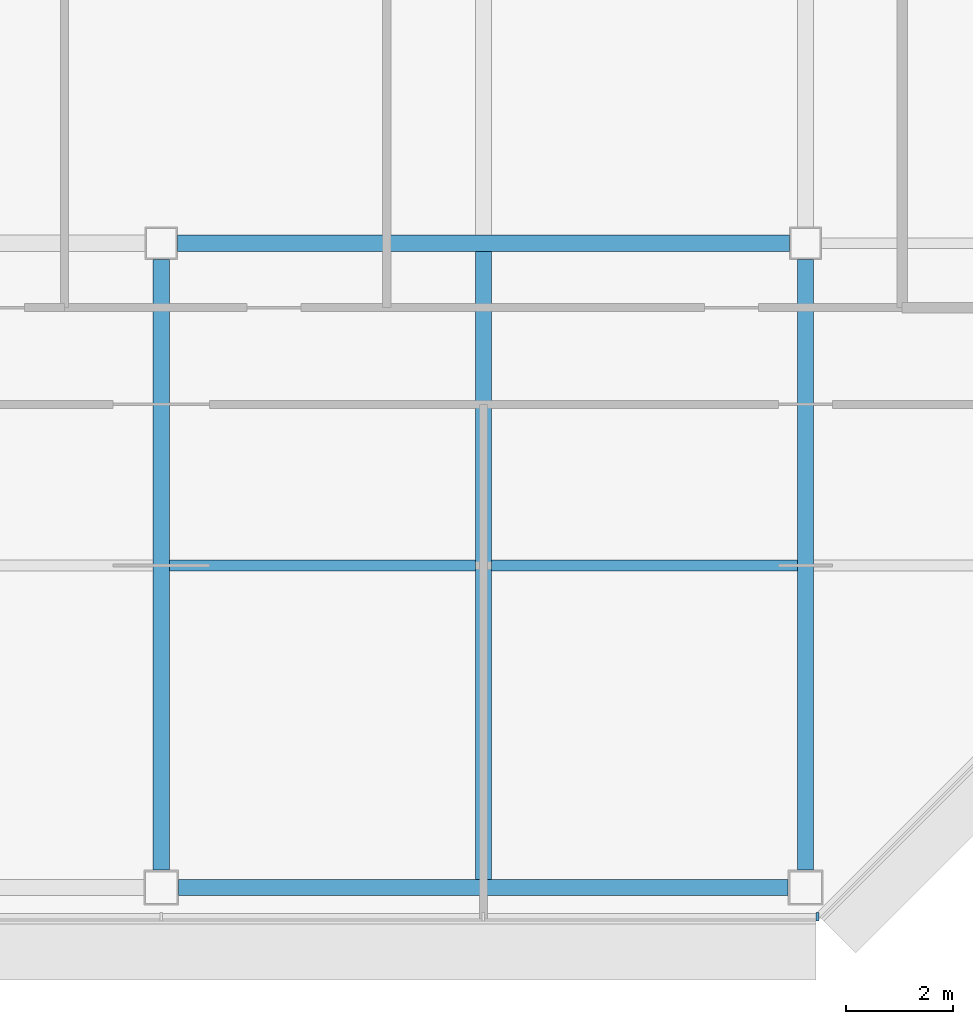
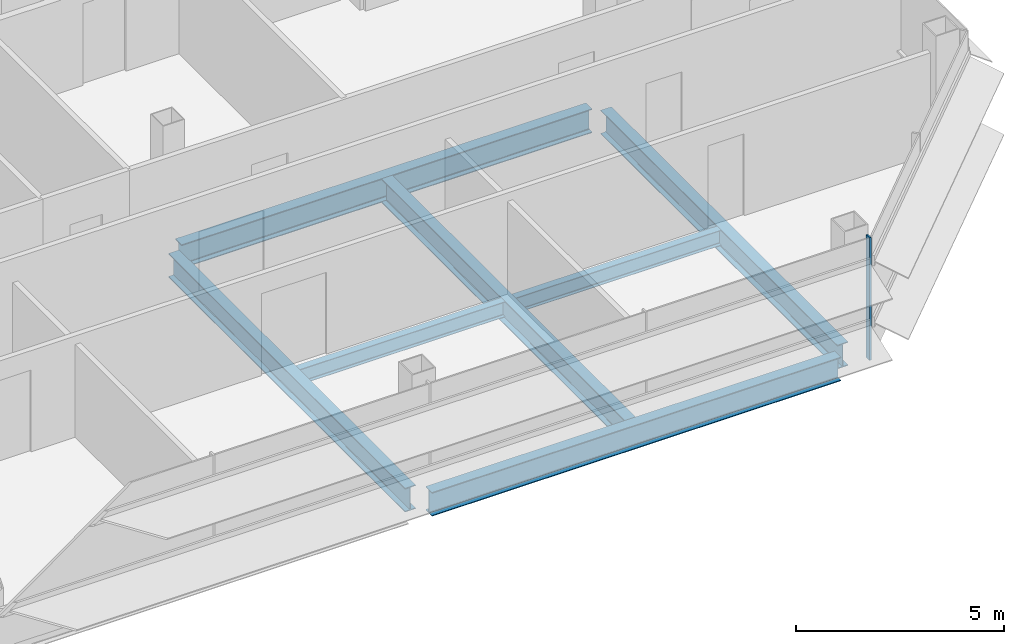
# One storey, part 9 of 26: 7 beams, 1 member, 1 element without a shape of its own.
"""IFC4 building model written with IfcOpenShell, lengths in metres."""

from ifc_helpers import new_model, si_unit, direction, frame, origin, origin_2d, place, context, subcontext, project, spatial, rectangle, i_section, extrude, material, material_profile, profile_set, type_object, element, aggregate, save


model = new_model("IFC4")

# Units and contexts
model_context = context("Model", 3, precision=1e-05, world=origin(), true_north=direction((0.0, 1.0)))
body_context = subcontext(model_context, "Body", "Model", "MODEL_VIEW")
ifc_project = project(units=[si_unit("LENGTHUNIT", "METRE"), si_unit("AREAUNIT", "SQUARE_METRE"), si_unit("VOLUMEUNIT", "CUBIC_METRE"), si_unit("PLANEANGLEUNIT", "RADIAN"), si_unit("MASSUNIT", "GRAM", prefix="KILO")], contexts=[model_context])

# Site, building, storey
site_placement = place(None, origin())
site = spatial("IfcSite", under=ifc_project, at=site_placement, CompositionType="ELEMENT")
building_placement = place(site_placement, origin())
building = spatial("IfcBuilding", under=site, at=building_placement, Name="Sorahane Residences", CompositionType="ELEMENT")
storey_placement = place(building_placement, frame((0.0, 0.0, 215.39990234375)))
storey = spatial("IfcBuildingStorey", under=building, at=storey_placement, Name="L50", CompositionType="ELEMENT", Elevation=215.39990234375)

# Curtain wall, member
ifc_material_1 = material(Name="Dark low-e glass and black anodised aluminium", Category="aluminium")
curtain_wall_type = type_object("IfcCurtainWallType", Name="Curtain wall CW-1 Typical unitised wall", PredefinedType="NOTDEFINED", material=ifc_material_1)
curtain_wall_placement = place(storey_placement, origin())
curtain_wall = element("IfcCurtainWall", 1, at=curtain_wall_placement, inside=storey, type_object=curtain_wall_type, Name="CW-1 curtain wall L50 S1", PredefinedType="NOTDEFINED")
ifc_material_2 = material(Name="Black anodised aluminium", Category="aluminium")
ifc_material_profile_1 = material_profile(ifc_material_2, rectangle(XDim=0.159912109375, YDim=0.050048828125, at=origin_2d()), Name="Curtain wall mullion CW-1 black anodised aluminium 50x160")
ifc_profile_set_1 = profile_set([ifc_material_profile_1], Name="Black anodised aluminium")
member_type = type_object("IfcMemberType", Name="Curtain wall mullion CW-1 black anodised aluminium 50x160", PredefinedType="MULLION", material=ifc_profile_set_1)
member_placement = place(storey_placement, frame((48.2236328125, -0.5400390625, -0.179931640625), z_axis=(0.0, 0.0, 1.0), x_axis=(0.0, -1.0, 0.0)))
member = element("IfcMember", 2, at=member_placement, type_object=member_type, Name="CW-1 mullion L50 S1.10", PredefinedType="MULLION", context=body_context, shape_type="SweptSolid", body=[
    extrude(rectangle(XDim=0.159912109375, YDim=0.050048828125, at=origin_2d()), origin(), (0.0, 0.0, 1.0), 3.60009765625),
])
aggregate(curtain_wall, [member])

# Beams
ifc_material_3 = material(Name="Steel Q355B", Category="steel")
ifc_material_profile_2 = material_profile(ifc_material_3, i_section(OverallWidth=0.199951171875, OverallDepth=0.449951171875, WebThickness=0.009033203125, FlangeThickness=0.013916015625, FilletRadius=0.02001953125, at=origin_2d()), Name="HN 450x200x9x14")
ifc_profile_set_2 = profile_set([ifc_material_profile_2], Name="Steel Q355B")
beam_type_1 = type_object("IfcBeamType", Name="Steel floor beam HN 450x200x9x14 Q355B", PredefinedType="BEAM", material=ifc_profile_set_2)
for number, where, z_axis, x_axis, name in (
    (3, (36.14990234375, 6.0, -0.40478515625), (1.0, 0.0, 0.0), (0.0, 1.0, 0.0), "Beam L50 075"),
    (4, (42.14990234375, 6.0, -0.40478515625), (1.0, 0.0, 0.0), (0.0, 1.0, 0.0), "Beam L50 076"),
):
    element("IfcBeam", number, at=place(storey_placement, frame(where, z_axis=z_axis, x_axis=x_axis)), inside=storey, type_object=beam_type_1, Name=name, PredefinedType="BEAM", context=body_context, shape_type="SweptSolid", body=[
        extrude(i_section(OverallWidth=0.199951171875, OverallDepth=0.449951171875, WebThickness=0.009033203125, FlangeThickness=0.013916015625, FilletRadius=0.02001953125, at=origin_2d()), origin(), (0.0, 0.0, 1.0), 5.7001953125),
    ])
ifc_material_4 = material(Name="Steel Q355B", Category="steel")
ifc_material_profile_3 = material_profile(ifc_material_4, i_section(OverallWidth=0.300048828125, OverallDepth=0.699951171875, WebThickness=0.012939453125, FlangeThickness=0.02392578125, FilletRadius=0.028076171875, at=origin_2d()), Name="HN 700x300x13x24")
ifc_profile_set_3 = profile_set([ifc_material_profile_3], Name="Steel Q355B")
beam_type_2 = type_object("IfcBeamType", Name="Steel floor beam HN 700x300x13x24 Q355B", PredefinedType="BEAM", material=ifc_profile_set_3)
beam_1_placement = place(storey_placement, frame((36.324951171875, 0.0, -0.52978515625), z_axis=(1.0, 0.0, 0.0), x_axis=(0.0, 1.0, 0.0)))
element("IfcBeam", 5, at=beam_1_placement, inside=storey, type_object=beam_type_2, Name="Beam L50 004", PredefinedType="BEAM", context=body_context, shape_type="SweptSolid", body=[
    extrude(i_section(OverallWidth=0.300048828125, OverallDepth=0.699951171875, WebThickness=0.012939453125, FlangeThickness=0.02392578125, FilletRadius=0.028076171875, at=origin_2d()), origin(), (0.0, 0.0, 1.0), 11.35009765625),
])
beam_2_placement = place(storey_placement, frame((36.300048828125, 12.0, -0.52978515625), z_axis=(1.0, 0.0, 0.0), x_axis=(0.0, 1.0, 0.0)))
element("IfcBeam", 6, at=beam_2_placement, inside=storey, type_object=beam_type_2, Name="Beam L50 009", PredefinedType="BEAM", context=body_context, shape_type="SweptSolid", body=[
    extrude(i_section(OverallWidth=0.300048828125, OverallDepth=0.699951171875, WebThickness=0.012939453125, FlangeThickness=0.02392578125, FilletRadius=0.028076171875, at=origin_2d()), origin(), (0.0, 0.0, 1.0), 11.39990234375),
])
beam_3_placement = place(storey_placement, frame((36.0, 0.324951171875, -0.52978515625), z_axis=(0.0, 1.0, 0.0), x_axis=(-1.0, 0.0, 0.0)))
element("IfcBeam", 7, at=beam_3_placement, inside=storey, type_object=beam_type_2, Name="Beam L50 050", PredefinedType="BEAM", context=body_context, shape_type="SweptSolid", body=[
    extrude(i_section(OverallWidth=0.300048828125, OverallDepth=0.699951171875, WebThickness=0.012939453125, FlangeThickness=0.02392578125, FilletRadius=0.028076171875, at=origin_2d()), origin(), (0.0, 0.0, 1.0), 11.375),
])
beam_4_placement = place(storey_placement, frame((42.0, 0.14990234375, -0.52978515625), z_axis=(0.0, 1.0, 0.0), x_axis=(-1.0, 0.0, 0.0)))
element("IfcBeam", 8, at=beam_4_placement, inside=storey, type_object=beam_type_2, Name="Beam L50 052", PredefinedType="BEAM", context=body_context, shape_type="SweptSolid", body=[
    extrude(i_section(OverallWidth=0.300048828125, OverallDepth=0.699951171875, WebThickness=0.012939453125, FlangeThickness=0.02392578125, FilletRadius=0.028076171875, at=origin_2d()), origin(), (0.0, 0.0, 1.0), 11.7001953125),
])
beam_5_placement = place(storey_placement, frame((48.0, 0.324951171875, -0.52978515625), z_axis=(0.0, 1.0, 0.0), x_axis=(-1.0, 0.0, 0.0)))
element("IfcBeam", 9, at=beam_5_placement, inside=storey, type_object=beam_type_2, Name="Beam L50 058", PredefinedType="BEAM", context=body_context, shape_type="SweptSolid", body=[
    extrude(i_section(OverallWidth=0.300048828125, OverallDepth=0.699951171875, WebThickness=0.012939453125, FlangeThickness=0.02392578125, FilletRadius=0.028076171875, at=origin_2d()), origin(), (0.0, 0.0, 1.0), 11.375),
])

save(model, "model.ifc")
